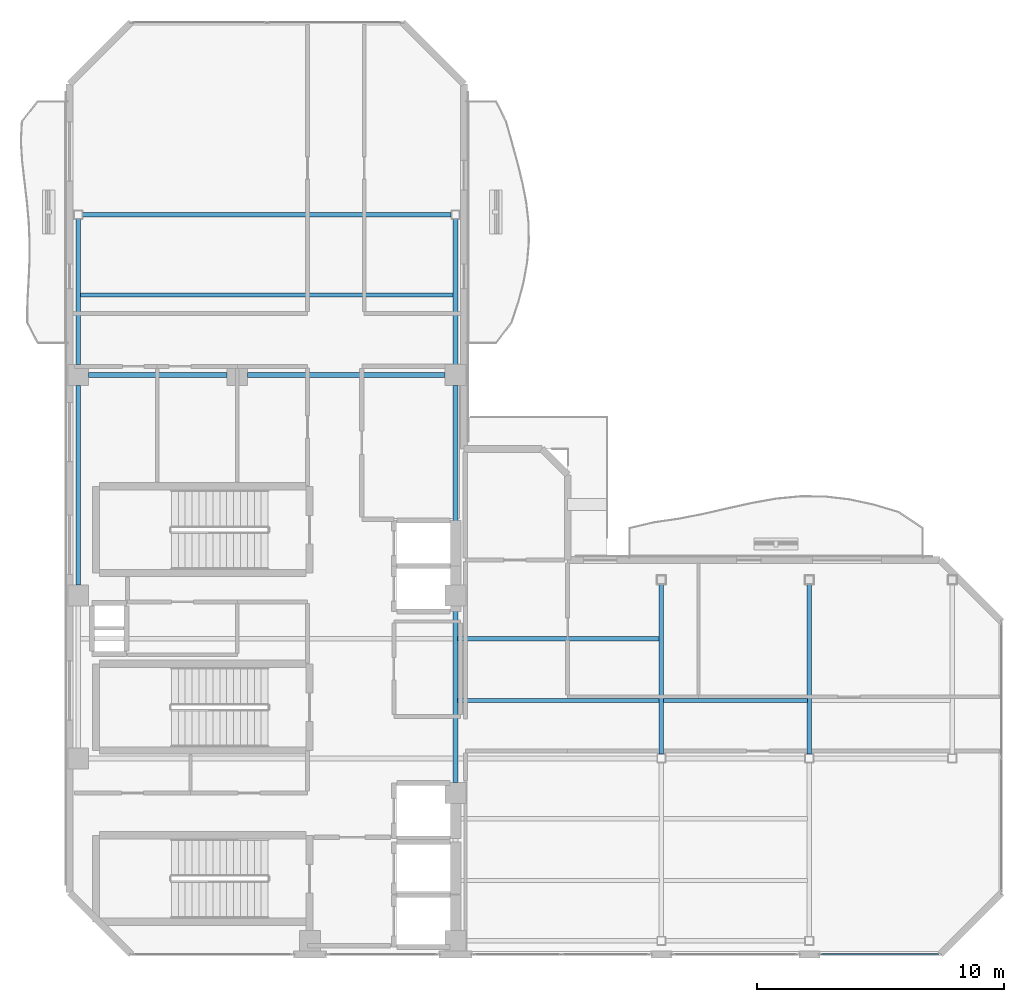
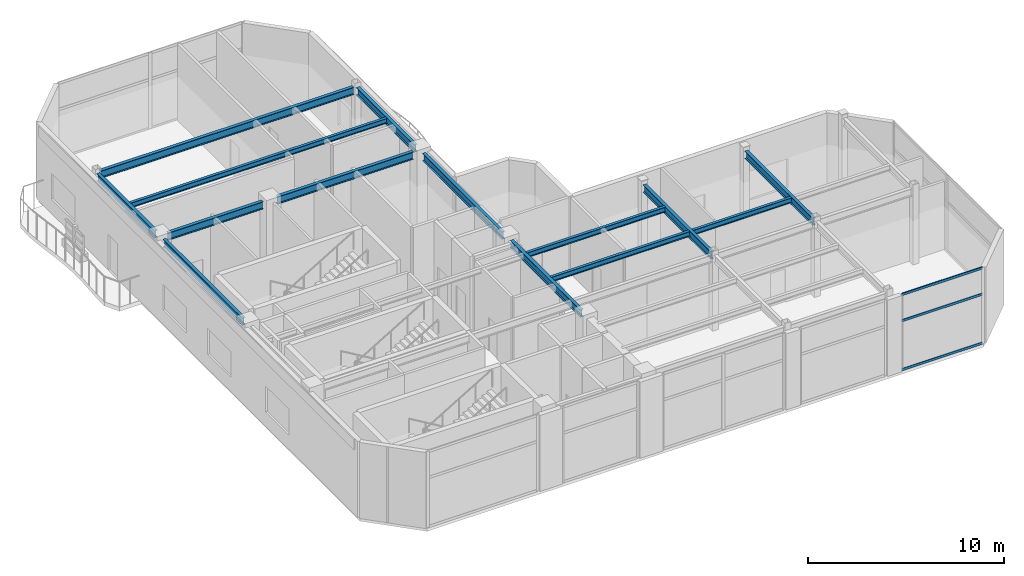
# One storey, part 6 of 16: 14 beams, 3 members, 1 element without a shape of its own.
"""IFC4 building model written with IfcOpenShell, lengths in metres."""

import ifcopenshell
import ifcopenshell.guid

model = None  # the IFC model being written
_history = None  # IfcOwnerHistory: only IFC2X3 demands one
_inside = {}  # id of a spatial element -> (the spatial element, [elements in it])
_under = {}  # id of a project, library or spatial element -> (it, [spatial elements below it])
_declared = {}  # id of a project -> (the project, [libraries it declares])
_typed = {}  # id of a type object -> (the type object, [elements of that type])
_made_of = {}  # id of a material, layer set ... -> (it, [elements and type objects made of it])


def new_model(schema):
    """Start an empty IFC model of exactly this schema.

    Asked for "IFC4X3", IfcOpenShell would pick the latest addendum, in which some entities
    have other attributes; the version numbers below select the first issue.
    IFC2X3 requires an IfcOwnerHistory on every rooted entity: one is made here for all.
    """
    global model, _history
    if schema == "IFC4X3":
        model = ifcopenshell.file(schema_version=(4, 3, 0, 0))
    else:
        model = ifcopenshell.file(schema=schema)
    _inside.clear()
    _under.clear()
    _declared.clear()
    _typed.clear()
    _made_of.clear()
    _history = None
    if model.schema == "IFC2X3":
        org = make("IfcOrganization", Name="unknown")
        user = make(
            "IfcPersonAndOrganization",
            ThePerson=make("IfcPerson", FamilyName="unknown"),
            TheOrganization=org,
        )
        app = make(
            "IfcApplication",
            ApplicationDeveloper=org,
            Version="unknown",
            ApplicationFullName="unknown",
            ApplicationIdentifier="unknown",
        )
        _history = make(
            "IfcOwnerHistory",
            OwningUser=user,
            OwningApplication=app,
            ChangeAction="ADDED",
            CreationDate=0,
        )
    return model


def make(cls, **values):
    """One entity of the class cls with the attributes given. An attribute that is None is left unset."""
    return model.create_entity(
        cls, **{name: value for name, value in values.items() if value is not None}
    )


def rooted(cls, **values):
    """An entity with a GlobalId (a new one), such as an element, a storey or a relation."""
    return make(cls, GlobalId=ifcopenshell.guid.new(), OwnerHistory=_history, **values)


def si_unit(unit_type, name, prefix=None):
    """IfcSIUnit, for example si_unit("LENGTHUNIT", "METRE", prefix="MILLI")."""
    return make("IfcSIUnit", UnitType=unit_type, Prefix=prefix, Name=name)


def assignment(units):
    """IfcUnitAssignment: the units of a project."""
    return None if units is None else make("IfcUnitAssignment", Units=units)


def point(xyz):
    """IfcCartesianPoint."""
    return None if xyz is None else make("IfcCartesianPoint", Coordinates=xyz)


def direction(xyz):
    """IfcDirection."""
    return None if xyz is None else make("IfcDirection", DirectionRatios=xyz)


def frame(location, z_axis=None, x_axis=None):
    """IfcAxis2Placement3D, a coordinate frame: its origin and axes. An axis left out is left unset."""
    return make(
        "IfcAxis2Placement3D",
        Location=point(location),
        Axis=direction(z_axis),
        RefDirection=direction(x_axis),
    )


def frame_2d(location, x_axis=None):
    """IfcAxis2Placement2D, a coordinate frame in the plane: its origin and x axis."""
    return make(
        "IfcAxis2Placement2D", Location=point(location), RefDirection=direction(x_axis)
    )


def origin():
    """The frame at (0, 0, 0) with its axes left unset."""
    return frame((0.0, 0.0, 0.0))


def origin_2d():
    """The frame at (0, 0) in the plane with its x axis left unset."""
    return frame_2d((0.0, 0.0))


def place(relative_to, where):
    """IfcLocalPlacement: puts the frame where relative to a parent placement (None: the world)."""
    return make(
        "IfcLocalPlacement", PlacementRelTo=relative_to, RelativePlacement=where
    )


def context(
    kind, dimensions, precision=None, world=None, true_north=None, identifier=None
):
    """IfcGeometricRepresentationContext, for example the 3D "Model" context."""
    return make(
        "IfcGeometricRepresentationContext",
        ContextIdentifier=identifier,
        ContextType=kind,
        CoordinateSpaceDimension=dimensions,
        Precision=precision,
        WorldCoordinateSystem=world,
        TrueNorth=true_north,
    )


def subcontext(parent, identifier, kind, view, scale=None):
    """IfcGeometricRepresentationSubContext, for example "Body" below "Model"."""
    return make(
        "IfcGeometricRepresentationSubContext",
        ContextIdentifier=identifier,
        ContextType=kind,
        ParentContext=parent,
        TargetScale=scale,
        TargetView=view,
    )


def project(units=None, contexts=None):
    """IfcProject with its units and contexts."""
    return rooted(
        "IfcProject",
        Name="project",
        RepresentationContexts=contexts,
        UnitsInContext=assignment(units),
    )


def spatial(cls, under=None, at=None, **own):
    """A site, building, storey or space (cls), placed at a placement, below another one or the project."""
    s = rooted(cls, ObjectPlacement=at, **own)
    if under is not None:
        _under.setdefault(under.id(), (under, []))[1].append(s)
    return s


def profile(cls, at=None, kind="AREA", **sizes):
    """A parametric profile (cls). Its sizes go by their IFC names, for example OverallWidth=200.0."""
    return make(cls, ProfileType=kind, Position=at, **sizes)


def hollow_rectangle(**sizes):
    """IfcRectangleHollowProfileDef."""
    return profile("IfcRectangleHollowProfileDef", **sizes)


def i_section(**sizes):
    """IfcIShapeProfileDef."""
    return profile("IfcIShapeProfileDef", **sizes)


def extrude(swept, where, along, depth):
    """IfcExtrudedAreaSolid: the profile swept, set in the frame where, extruded along a direction by depth."""
    return make(
        "IfcExtrudedAreaSolid",
        SweptArea=swept,
        Position=where,
        ExtrudedDirection=direction(along),
        Depth=depth,
    )


def shape(context_of_items, identifier, shape_type, items):
    """IfcShapeRepresentation: the items that make up one representation, for example the "Body"."""
    return make(
        "IfcShapeRepresentation",
        ContextOfItems=context_of_items,
        RepresentationIdentifier=identifier,
        RepresentationType=shape_type,
        Items=items,
    )


def material(Name=None, Category=None):
    """IfcMaterial."""
    return make("IfcMaterial", Name=Name, Category=Category)


def layer(
    of_material, thickness, ventilated=None, Name=None, Category=None, Priority=None
):
    """IfcMaterialLayer: one layer of a wall or slab, of a material (None: an air gap)."""
    return make(
        "IfcMaterialLayer",
        Material=of_material,
        LayerThickness=thickness,
        IsVentilated=ventilated,
        Name=Name,
        Category=Category,
        Priority=Priority,
    )


def layer_set(layers, Name=None):
    """IfcMaterialLayerSet."""
    return make("IfcMaterialLayerSet", MaterialLayers=layers, LayerSetName=Name)


def material_profile(
    of_material, cross_section, Name=None, Category=None, Priority=None
):
    """IfcMaterialProfile: a cross section and its material."""
    return make(
        "IfcMaterialProfile",
        Name=Name,
        Material=of_material,
        Profile=cross_section,
        Priority=Priority,
        Category=Category,
    )


def profile_set(profiles, Name=None, composite=None):
    """IfcMaterialProfileSet."""
    return make(
        "IfcMaterialProfileSet",
        Name=Name,
        MaterialProfiles=profiles,
        CompositeProfile=composite,
    )


def made_of(thing, what):
    """Note that an element or type object is made of a material, layer set ...; save() writes the relation."""
    if what is not None:
        _made_of.setdefault(what.id(), (what, []))[1].append(thing)
    return thing


def type_object(cls, material=None, **own):
    """A type object (cls), such as IfcWallType, which elements share."""
    return made_of(rooted(cls, **own), material)


def element(
    cls,
    number,
    at=None,
    inside=None,
    cuts=None,
    type_object=None,
    material=None,
    context=None,
    identifier="Body",
    shape_type=None,
    held_by="IfcProductDefinitionShape",
    body=None,
    shapes=None,
    **own,
):
    """One element of the class cls, such as IfcWall. Its Tag is "e" and its number.

    at: its placement. inside: the storey or other place that contains it. cuts: it is an
    opening in that element (IfcRelVoidsElement). A single representation is given by context,
    identifier, shape_type and body (its items); several are given by shapes. held_by: the class
    of the entity that holds the representations. save() writes the other relations.
    """
    e = rooted(cls, Tag="e%d" % number, ObjectPlacement=at, **own)
    if body is not None:
        shapes = [shape(context, identifier, shape_type, body)]
    if shapes is not None:
        e.Representation = make(held_by, Representations=shapes)
    if inside is not None:
        _inside.setdefault(inside.id(), (inside, []))[1].append(e)
    if cuts is not None:
        rooted(
            "IfcRelVoidsElement", RelatingBuildingElement=cuts, RelatedOpeningElement=e
        )
    if type_object is not None:
        _typed.setdefault(type_object.id(), (type_object, []))[1].append(e)
    return made_of(e, material)


def aggregate(whole, parts):
    """IfcRelAggregates: a whole, such as a stair, and the parts it consists of."""
    return rooted("IfcRelAggregates", RelatingObject=whole, RelatedObjects=parts)


def save(model, path):
    """Write the relations noted so far, then the file.

    IfcRelAggregates (storeys below a building ...), IfcRelContainedInSpatialStructure (elements
    in a storey), IfcRelDefinesByType, IfcRelAssociatesMaterial and IfcRelDeclares: one each for
    every whole, place, type object, material and project.
    """
    for whole, parts in _under.values():
        aggregate(whole, parts)
    for where, things in _inside.values():
        rooted(
            "IfcRelContainedInSpatialStructure",
            RelatedElements=things,
            RelatingStructure=where,
        )
    for kind, things in _typed.values():
        rooted("IfcRelDefinesByType", RelatedObjects=things, RelatingType=kind)
    for what, things in _made_of.values():
        rooted("IfcRelAssociatesMaterial", RelatedObjects=things, RelatingMaterial=what)
    for by, libraries in _declared.values():
        rooted("IfcRelDeclares", RelatingContext=by, RelatedDefinitions=libraries)
    model.write(path)


model = new_model("IFC4")

# Units and contexts
model_context = context("Model", 3, precision=1e-05, world=origin(), true_north=direction((0.0, 1.0)))
body_context = subcontext(model_context, "Body", "Model", "MODEL_VIEW")
ifc_project = project(units=[si_unit("LENGTHUNIT", "METRE"), si_unit("AREAUNIT", "SQUARE_METRE"), si_unit("VOLUMEUNIT", "CUBIC_METRE"), si_unit("PLANEANGLEUNIT", "RADIAN"), si_unit("MASSUNIT", "GRAM", prefix="KILO")], contexts=[model_context])

# Site, building, storey
site_placement = place(None, origin())
site = spatial("IfcSite", under=ifc_project, at=site_placement, CompositionType="ELEMENT")
building_placement = place(site_placement, origin())
building = spatial("IfcBuilding", under=site, at=building_placement, Name="Mawjaban Terraces University", CompositionType="ELEMENT")
storey_placement = place(building_placement, frame((0.0, 0.0, 311.699951171875)))
storey = spatial("IfcBuildingStorey", under=building, at=storey_placement, Name="L76", CompositionType="ELEMENT", Elevation=311.699951171875)

# Beams
ifc_material_1 = material(Name="Steel ASTM A572 Grade 50", Category="steel")
ifc_material_profile_1 = material_profile(ifc_material_1, i_section(OverallWidth=0.194091796875, OverallDepth=0.468994140625, WebThickness=0.011474609375, FlangeThickness=0.0205078125, at=origin_2d()), Name="W460X106")
ifc_profile_set_1 = profile_set([ifc_material_profile_1], Name="Steel ASTM A572 Grade 50")
beam_type_1 = type_object("IfcBeamType", Name="Beam_B_W460X106", PredefinedType="BEAM", material=ifc_profile_set_1)
beam_1_placement = place(storey_placement, frame((22.77490234375, 23.5, 4.505126953125), z_axis=(1.0, 0.0, 0.0), x_axis=(0.0, 1.0, 0.0)))
element("IfcBeam", 1, at=beam_1_placement, inside=storey, type_object=beam_type_1, Name="L76 Beam BM-L76-EW-06", PredefinedType="BEAM", context=body_context, shape_type="SweptSolid", body=[
    extrude(i_section(OverallWidth=0.194091796875, OverallDepth=0.468994140625, WebThickness=0.011474609375, FlangeThickness=0.0205078125, at=origin_2d()), origin(), (0.0, 0.0, 1.0), 5.60009765625),
])
beam_2_placement = place(storey_placement, frame((29.22509765625, 23.5, 4.505126953125), z_axis=(1.0, 0.0, 0.0), x_axis=(0.0, 1.0, 0.0)))
element("IfcBeam", 2, at=beam_2_placement, inside=storey, type_object=beam_type_1, Name="L76 Beam BM-L76-EW-07", PredefinedType="BEAM", context=body_context, shape_type="SweptSolid", body=[
    extrude(i_section(OverallWidth=0.194091796875, OverallDepth=0.468994140625, WebThickness=0.011474609375, FlangeThickness=0.0205078125, at=origin_2d()), origin(), (0.0, 0.0, 1.0), 8.0),
])
beam_3_placement = place(storey_placement, frame((22.52490234375, 30.0, 4.505126953125), z_axis=(1.0, 0.0, 0.0), x_axis=(0.0, 1.0, 0.0)))
element("IfcBeam", 3, at=beam_3_placement, inside=storey, type_object=beam_type_1, Name="L76 Beam BM-L76-EW-08", PredefinedType="BEAM", context=body_context, shape_type="SweptSolid", body=[
    extrude(i_section(OverallWidth=0.194091796875, OverallDepth=0.468994140625, WebThickness=0.011474609375, FlangeThickness=0.0205078125, at=origin_2d()), origin(), (0.0, 0.0, 1.0), 14.9501953125),
])
beam_4_placement = place(storey_placement, frame((22.35009765625, 14.97509765625, 4.505126953125), z_axis=(0.0, 1.0, 0.0), x_axis=(-1.0, 0.0, 0.0)))
element("IfcBeam", 4, at=beam_4_placement, inside=storey, type_object=beam_type_1, Name="L76 Beam BM-L76-NS-02", PredefinedType="BEAM", context=body_context, shape_type="SweptSolid", body=[
    extrude(i_section(OverallWidth=0.194091796875, OverallDepth=0.468994140625, WebThickness=0.011474609375, FlangeThickness=0.0205078125, at=origin_2d()), origin(), (0.0, 0.0, 1.0), 8.099853515625),
])
beam_5_placement = place(storey_placement, frame((22.35009765625, 23.925048828125, 4.505126953125), z_axis=(0.0, 1.0, 0.0), x_axis=(-1.0, 0.0, 0.0)))
element("IfcBeam", 5, at=beam_5_placement, inside=storey, type_object=beam_type_1, Name="L76 Beam BM-L76-NS-03", PredefinedType="BEAM", context=body_context, shape_type="SweptSolid", body=[
    extrude(i_section(OverallWidth=0.194091796875, OverallDepth=0.468994140625, WebThickness=0.011474609375, FlangeThickness=0.0205078125, at=origin_2d()), origin(), (0.0, 0.0, 1.0), 5.89990234375),
])
beam_6_placement = place(storey_placement, frame((37.64990234375, 6.97509765625, 4.505126953125), z_axis=(0.0, 1.0, 0.0), x_axis=(-1.0, 0.0, 0.0)))
element("IfcBeam", 6, at=beam_6_placement, inside=storey, type_object=beam_type_1, Name="L76 Beam BM-L76-NS-05", PredefinedType="BEAM", context=body_context, shape_type="SweptSolid", body=[
    extrude(i_section(OverallWidth=0.194091796875, OverallDepth=0.468994140625, WebThickness=0.011474609375, FlangeThickness=0.0205078125, at=origin_2d()), origin(), (0.0, 0.0, 1.0), 7.14990234375),
])
beam_7_placement = place(storey_placement, frame((37.64990234375, 14.97509765625, 4.505126953125), z_axis=(0.0, 1.0, 0.0), x_axis=(-1.0, 0.0, 0.0)))
element("IfcBeam", 7, at=beam_7_placement, inside=storey, type_object=beam_type_1, Name="L76 Beam BM-L76-NS-06", PredefinedType="BEAM", context=body_context, shape_type="SweptSolid", body=[
    extrude(i_section(OverallWidth=0.194091796875, OverallDepth=0.468994140625, WebThickness=0.011474609375, FlangeThickness=0.0205078125, at=origin_2d()), origin(), (0.0, 0.0, 1.0), 8.099853515625),
])
beam_8_placement = place(storey_placement, frame((37.64990234375, 23.925048828125, 4.505126953125), z_axis=(0.0, 1.0, 0.0), x_axis=(-1.0, 0.0, 0.0)))
element("IfcBeam", 8, at=beam_8_placement, inside=storey, type_object=beam_type_1, Name="L76 Beam BM-L76-NS-07", PredefinedType="BEAM", context=body_context, shape_type="SweptSolid", body=[
    extrude(i_section(OverallWidth=0.194091796875, OverallDepth=0.468994140625, WebThickness=0.011474609375, FlangeThickness=0.0205078125, at=origin_2d()), origin(), (0.0, 0.0, 1.0), 5.89990234375),
])
for number, where, z_axis, x_axis, name in (
    (9, (46.0, 8.125, 4.505126953125), (0.0, 1.0, 0.0), (-1.0, 0.0, 0.0), "L76 Beam BM-L76-NS-09"),
    (10, (52.0, 8.125, 4.505126953125), (0.0, 1.0, 0.0), (-1.0, 0.0, 0.0), "L76 Beam BM-L76-NS-11"),
):
    element("IfcBeam", number, at=place(storey_placement, frame(where, z_axis=z_axis, x_axis=x_axis)), inside=storey, type_object=beam_type_1, Name=name, PredefinedType="BEAM", context=body_context, shape_type="SweptSolid", body=[
        extrude(i_section(OverallWidth=0.194091796875, OverallDepth=0.468994140625, WebThickness=0.011474609375, FlangeThickness=0.0205078125, at=origin_2d()), origin(), (0.0, 0.0, 1.0), 6.89990234375),
    ])
ifc_material_profile_2 = material_profile(ifc_material_1, i_section(OverallWidth=0.1669921875, OverallDepth=0.318115234375, WebThickness=0.007568359375, FlangeThickness=0.01318359375, at=origin_2d()), Name="W310X52")
ifc_profile_set_2 = profile_set([ifc_material_profile_2], Name="Steel ASTM A572 Grade 50")
beam_type_2 = type_object("IfcBeamType", Name="Beam_J_W310X52", PredefinedType="JOIST", material=ifc_profile_set_2)
beam_9_placement = place(storey_placement, frame((37.72998046875, 10.300048828125, 4.5810546875), z_axis=(1.0, 0.0, 0.0), x_axis=(0.0, 1.0, 0.0)))
element("IfcBeam", 11, at=beam_9_placement, inside=storey, type_object=beam_type_2, Name="L76 Composite Joist JST-L76-05", PredefinedType="JOIST", context=body_context, shape_type="SweptSolid", body=[
    extrude(i_section(OverallWidth=0.1669921875, OverallDepth=0.318115234375, WebThickness=0.007568359375, FlangeThickness=0.01318359375, at=origin_2d()), origin(), (0.0, 0.0, 1.0), 8.18994140625),
])
beam_10_placement = place(storey_placement, frame((46.080078125, 10.300048828125, 4.5810546875), z_axis=(1.0, 0.0, 0.0), x_axis=(0.0, 1.0, 0.0)))
element("IfcBeam", 12, at=beam_10_placement, inside=storey, type_object=beam_type_2, Name="L76 Composite Joist JST-L76-06", PredefinedType="JOIST", context=body_context, shape_type="SweptSolid", body=[
    extrude(i_section(OverallWidth=0.1669921875, OverallDepth=0.318115234375, WebThickness=0.007568359375, FlangeThickness=0.01318359375, at=origin_2d()), origin(), (0.0, 0.0, 1.0), 5.83984375),
])
beam_11_placement = place(storey_placement, frame((37.72998046875, 12.800048828125, 4.5810546875), z_axis=(1.0, 0.0, 0.0), x_axis=(0.0, 1.0, 0.0)))
element("IfcBeam", 13, at=beam_11_placement, inside=storey, type_object=beam_type_2, Name="L76 Composite Joist JST-L76-09", PredefinedType="JOIST", context=body_context, shape_type="SweptSolid", body=[
    extrude(i_section(OverallWidth=0.1669921875, OverallDepth=0.318115234375, WebThickness=0.007568359375, FlangeThickness=0.01318359375, at=origin_2d()), origin(), (0.0, 0.0, 1.0), 8.18994140625),
])
beam_12_placement = place(storey_placement, frame((22.429931640625, 26.75, 4.5810546875), z_axis=(1.0, 0.0, 0.0), x_axis=(0.0, 1.0, 0.0)))
element("IfcBeam", 14, at=beam_12_placement, inside=storey, type_object=beam_type_2, Name="L76 Composite Joist JST-L76-10", PredefinedType="JOIST", context=body_context, shape_type="SweptSolid", body=[
    extrude(i_section(OverallWidth=0.1669921875, OverallDepth=0.318115234375, WebThickness=0.007568359375, FlangeThickness=0.01318359375, at=origin_2d()), origin(), (0.0, 0.0, 1.0), 15.14013671875),
])

# Curtain wall, members
ifc_material_2 = material(Name="Anodised aluminium 6063-T6 and solar-control low-E glass", Category="aluminium")
ifc_layer = layer(ifc_material_2, 0.199951171875)
ifc_layer_set = layer_set([ifc_layer], Name="Anodised aluminium 6063-T6 and solar-control low-E glass")
curtain_wall_type = type_object("IfcCurtainWallType", Name="CWSystem_06_ObservationCrown", PredefinedType="NOTDEFINED", material=ifc_layer_set)
curtain_wall_placement = place(storey_placement, origin())
curtain_wall = element("IfcCurtainWall", 15, at=curtain_wall_placement, inside=storey, type_object=curtain_wall_type, Name="L76 Curtain Wall CW-06 Run 1.5", PredefinedType="NOTDEFINED")
ifc_material_3 = material(Name="Anodised aluminium 6063-T6", Category="aluminium")
ifc_material_profile_3 = material_profile(ifc_material_3, hollow_rectangle(XDim=0.06005859375, YDim=0.14990234375, WallThickness=0.00390625, at=origin_2d()), Name="ALU150X60X4")
ifc_profile_set_3 = profile_set([ifc_material_profile_3], Name="Anodised aluminium 6063-T6")
member_type = type_object("IfcMemberType", Name="Transom_CW-06", PredefinedType="NOTDEFINED", material=ifc_profile_set_3)
member_1_placement = place(storey_placement, frame((52.489990234375, 0.0, 0.030029296875), z_axis=(1.0, 0.0, 0.0), x_axis=(0.0, 1.0, 0.0)))
member_1 = element("IfcMember", 16, at=member_1_placement, type_object=member_type, Name="CW-06 transom 1.1", ObjectType="TRANSOM", PredefinedType="USERDEFINED", context=body_context, shape_type="SweptSolid", body=[
    extrude(hollow_rectangle(XDim=0.06005859375, YDim=0.14990234375, WallThickness=0.00390625, at=origin_2d()), origin(), (0.0, 0.0, 1.0), 4.7451171875),
])
member_2_placement = place(storey_placement, frame((52.489990234375, 0.0, 3.0810546875), z_axis=(1.0, 0.0, 0.0), x_axis=(0.0, 1.0, 0.0)))
member_2 = element("IfcMember", 17, at=member_2_placement, type_object=member_type, Name="CW-06 transom 1.2", ObjectType="TRANSOM", PredefinedType="USERDEFINED", context=body_context, shape_type="SweptSolid", body=[
    extrude(hollow_rectangle(XDim=0.06005859375, YDim=0.14990234375, WallThickness=0.00390625, at=origin_2d()), origin(), (0.0, 0.0, 1.0), 4.7451171875),
])
member_3_placement = place(storey_placement, frame((52.489990234375, 0.0, 4.7099609375), z_axis=(1.0, 0.0, 0.0), x_axis=(0.0, 1.0, 0.0)))
member_3 = element("IfcMember", 18, at=member_3_placement, type_object=member_type, Name="CW-06 transom 1.3", ObjectType="TRANSOM", PredefinedType="USERDEFINED", context=body_context, shape_type="SweptSolid", body=[
    extrude(hollow_rectangle(XDim=0.06005859375, YDim=0.14990234375, WallThickness=0.00390625, at=origin_2d()), origin(), (0.0, 0.0, 1.0), 4.7451171875),
])
aggregate(curtain_wall, [member_1, member_2, member_3])

save(model, "model.ifc")
